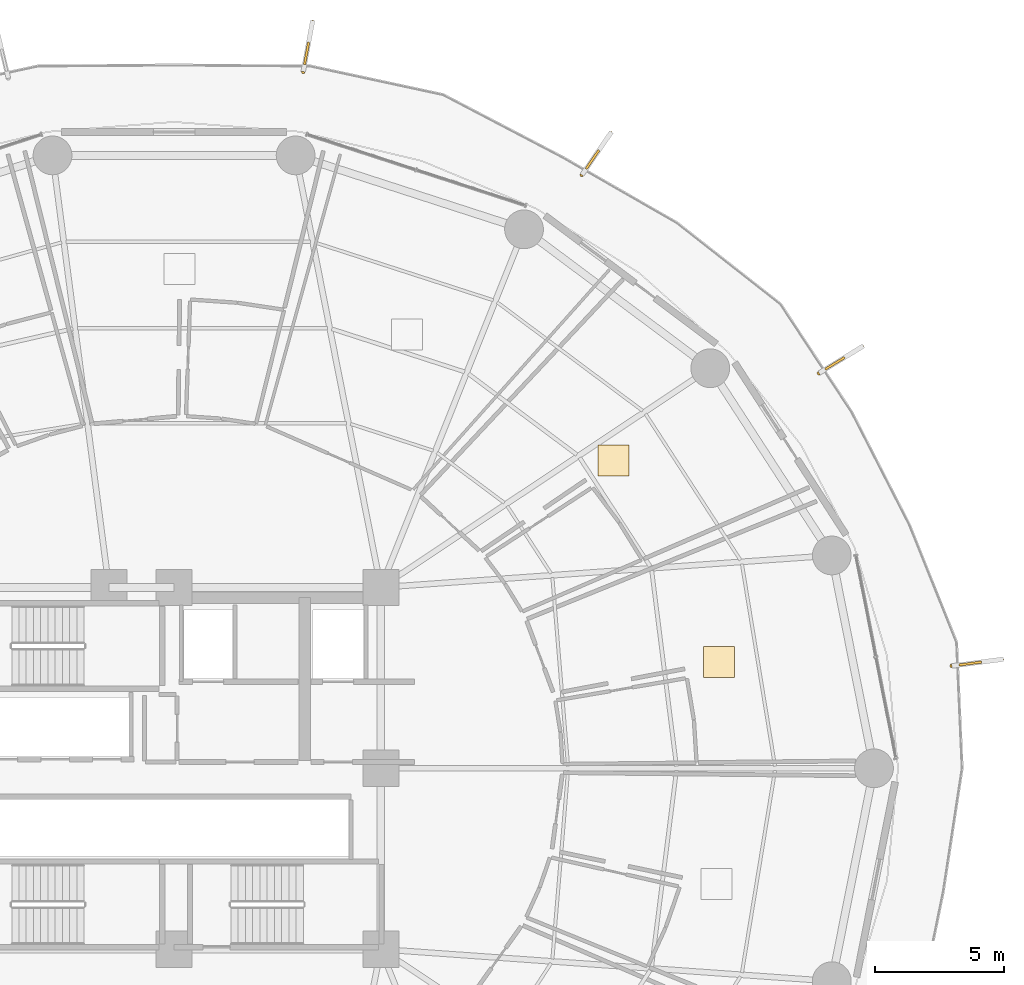
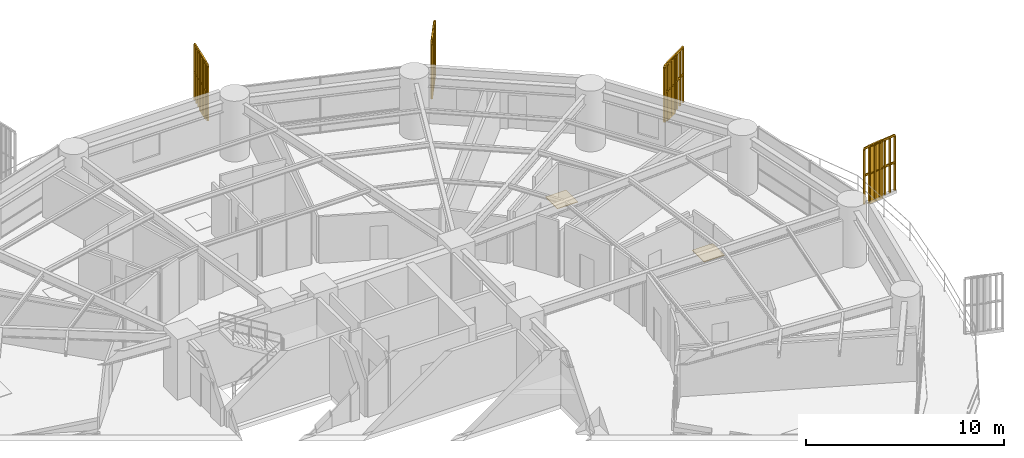
# One storey, part 34 of 34: 4 railings, 4 shading devices, 2 coverings.
"""IFC4 building model written with IfcOpenShell, lengths in metres."""

from ifc_helpers import new_model, si_unit, direction, frame, origin, origin_2d, place, context, subcontext, project, spatial, polyline, rectangle, outline, extrude, source, transform, mapped, material, layer, layer_set, type_object, element, save


model = new_model("IFC4")

# Units and contexts
model_context = context("Model", 3, precision=1e-05, world=origin(), true_north=direction((0.0, 1.0)))
body_context = subcontext(model_context, "Body", "Model", "MODEL_VIEW")
ifc_project = project(units=[si_unit("LENGTHUNIT", "METRE"), si_unit("AREAUNIT", "SQUARE_METRE"), si_unit("VOLUMEUNIT", "CUBIC_METRE"), si_unit("PLANEANGLEUNIT", "RADIAN"), si_unit("MASSUNIT", "GRAM", prefix="KILO")], contexts=[model_context])

# Site, building, storey
site_placement = place(None, origin())
site = spatial("IfcSite", under=ifc_project, at=site_placement, CompositionType="ELEMENT")
building_placement = place(site_placement, origin())
building = spatial("IfcBuilding", under=site, at=building_placement, Name="Kelanora Arch Commons", CompositionType="ELEMENT")
storey_placement = place(building_placement, frame((0.0, 0.0, 30.0)))
storey = spatial("IfcBuildingStorey", under=building, at=storey_placement, Name="L07", CompositionType="ELEMENT", Elevation=30.0)

# Railings
ifc_material_1 = material(Name="Anodised bronze vertical shading fin rib assembly")
railing_type = type_object("IfcRailingType", Name="RAIL-FIN-BRZ", PredefinedType="BALUSTRADE", material=ifc_material_1)
railing_1_placement = place(storey_placement, frame((104.091064453125, 61.9609375, -0.02001953125)))
element("IfcRailing", 1, at=railing_1_placement, inside=storey, type_object=railing_type, Name="Sweeping Bronze Vertical Fin Blade L07-00", PredefinedType="BALUSTRADE", context=body_context, shape_type="SweptSolid", body=[
    extrude(outline(polyline([(0.06982421875, 0.0), (0.034912109375, 0.060546875), (-0.034912109375, 0.060546875), (-0.06982421875, 0.0), (-0.034912109375, -0.060546875), (0.034912109375, -0.060546875), (0.06982421875, 0.0)])), frame((0.0, 0.0, 3.419921875), z_axis=(0.991431752839, 0.13062572282, 0.0), x_axis=(-0.13062572282, 0.991431752839, 0.0)), (0.0, 0.0, 1.0), 1.955078125),
    extrude(outline(polyline([(0.06982421875, 0.0), (0.034912109375, 0.060546875), (-0.034912109375, 0.060546875), (-0.06982421875, 0.0), (-0.034912109375, -0.060546875), (0.034912109375, -0.060546875), (0.06982421875, 0.0)])), frame((0.0, 0.0, 1.7451171875), z_axis=(0.991431752839, 0.13062572282, 0.0), x_axis=(-0.13062572282, 0.991431752839, 0.0)), (0.0, 0.0, 1.0), 1.955078125),
    extrude(outline(polyline([(0.080078125, 0.0), (0.0400390625, 0.0693359375), (-0.0400390625, 0.0693359375), (-0.080078125, 0.0), (-0.0400390625, -0.0693359375), (0.0400390625, -0.0693359375), (0.080078125, 0.0)])), origin(), (0.0, 0.0, 1.0), 3.35009765625),
    extrude(outline(polyline([(0.080078125, 0.0), (0.0400390625, 0.0693359375), (-0.0400390625, 0.0693359375), (-0.080078125, 0.0), (-0.0400390625, -0.0693359375), (0.0400390625, -0.0693359375), (0.080078125, 0.0)])), frame((0.322998046875, 0.04248046875, 0.0)), (0.0, 0.0, 1.0), 3.35009765625),
    extrude(outline(polyline([(0.080078125, 0.0), (0.0400390625, 0.0693359375), (-0.0400390625, 0.0693359375), (-0.080078125, 0.0), (-0.0400390625, -0.0693359375), (0.0400390625, -0.0693359375), (0.080078125, 0.0)])), frame((0.64599609375, 0.085205078125, 0.0)), (0.0, 0.0, 1.0), 3.35009765625),
    extrude(outline(polyline([(0.080078125, 0.0), (0.0400390625, 0.0693359375), (-0.0400390625, 0.0693359375), (-0.080078125, 0.0), (-0.0400390625, -0.0693359375), (0.0400390625, -0.0693359375), (0.080078125, 0.0)])), frame((0.96923828125, 0.127685546875, 0.0)), (0.0, 0.0, 1.0), 3.35009765625),
    extrude(outline(polyline([(0.080078125, 0.0), (0.0400390625, 0.0693359375), (-0.0400390625, 0.0693359375), (-0.080078125, 0.0), (-0.0400390625, -0.0693359375), (0.0400390625, -0.0693359375), (0.080078125, 0.0)])), frame((1.292236328125, 0.170166015625, 0.0)), (0.0, 0.0, 1.0), 3.35009765625),
    extrude(outline(polyline([(0.080078125, 0.0), (0.0400390625, 0.0693359375), (-0.0400390625, 0.0693359375), (-0.080078125, 0.0), (-0.0400390625, -0.0693359375), (0.0400390625, -0.0693359375), (0.080078125, 0.0)])), frame((1.615234375, 0.212890625, 0.0)), (0.0, 0.0, 1.0), 3.35009765625),
    extrude(outline(polyline([(0.080078125, 0.0), (0.0400390625, 0.0693359375), (-0.0400390625, 0.0693359375), (-0.080078125, 0.0), (-0.0400390625, -0.0693359375), (0.0400390625, -0.0693359375), (0.080078125, 0.0)])), frame((1.938232421875, 0.25537109375, 0.0)), (0.0, 0.0, 1.0), 3.35009765625),
])
railing_2_placement = place(storey_placement, frame((98.95458984375, 73.29150390625, -0.02001953125)))
element("IfcRailing", 2, at=railing_2_placement, inside=storey, type_object=railing_type, Name="Sweeping Bronze Vertical Fin Blade L07-01", PredefinedType="BALUSTRADE", context=body_context, shape_type="SweptSolid", body=[
    extrude(outline(polyline([(0.06982421875, 0.0), (0.034912109375, 0.060546875), (-0.034912109375, 0.060546875), (-0.06982421875, 0.0), (-0.034912109375, -0.060546875), (0.034912109375, -0.060546875), (0.06982421875, 0.0)])), frame((0.0, 0.0, 3.419921875), z_axis=(0.852651501033, 0.522480064487, 0.0), x_axis=(-0.522480064487, 0.852651501033, 0.0)), (0.0, 0.0, 1.0), 1.955078125),
    extrude(outline(polyline([(0.06982421875, 0.0), (0.034912109375, 0.060546875), (-0.034912109375, 0.060546875), (-0.06982421875, 0.0), (-0.034912109375, -0.060546875), (0.034912109375, -0.060546875), (0.06982421875, 0.0)])), frame((0.0, 0.0, 1.7451171875), z_axis=(0.852651501033, 0.522480064487, 0.0), x_axis=(-0.522480064487, 0.852651501033, 0.0)), (0.0, 0.0, 1.0), 1.955078125),
    extrude(outline(polyline([(0.080078125, 0.0), (0.0400390625, 0.0693359375), (-0.0400390625, 0.0693359375), (-0.080078125, 0.0), (-0.0400390625, -0.0693359375), (0.0400390625, -0.0693359375), (0.080078125, 0.0)])), origin(), (0.0, 0.0, 1.0), 3.35009765625),
    extrude(outline(polyline([(0.080078125, 0.0), (0.0400390625, 0.0693359375), (-0.0400390625, 0.0693359375), (-0.080078125, 0.0), (-0.0400390625, -0.0693359375), (0.0400390625, -0.0693359375), (0.080078125, 0.0)])), frame((0.27783203125, 0.170166015625, 0.0)), (0.0, 0.0, 1.0), 3.35009765625),
    extrude(outline(polyline([(0.080078125, 0.0), (0.0400390625, 0.0693359375), (-0.0400390625, 0.0693359375), (-0.080078125, 0.0), (-0.0400390625, -0.0693359375), (0.0400390625, -0.0693359375), (0.080078125, 0.0)])), frame((0.5556640625, 0.340576171875, 0.0)), (0.0, 0.0, 1.0), 3.35009765625),
    extrude(outline(polyline([(0.080078125, 0.0), (0.0400390625, 0.0693359375), (-0.0400390625, 0.0693359375), (-0.080078125, 0.0), (-0.0400390625, -0.0693359375), (0.0400390625, -0.0693359375), (0.080078125, 0.0)])), frame((0.83349609375, 0.5107421875, 0.0)), (0.0, 0.0, 1.0), 3.35009765625),
    extrude(outline(polyline([(0.080078125, 0.0), (0.0400390625, 0.0693359375), (-0.0400390625, 0.0693359375), (-0.080078125, 0.0), (-0.0400390625, -0.0693359375), (0.0400390625, -0.0693359375), (0.080078125, 0.0)])), frame((1.111328125, 0.680908203125, 0.0)), (0.0, 0.0, 1.0), 3.35009765625),
    extrude(outline(polyline([(0.080078125, 0.0), (0.0400390625, 0.0693359375), (-0.0400390625, 0.0693359375), (-0.080078125, 0.0), (-0.0400390625, -0.0693359375), (0.0400390625, -0.0693359375), (0.080078125, 0.0)])), frame((1.38916015625, 0.851318359375, 0.0)), (0.0, 0.0, 1.0), 3.35009765625),
    extrude(outline(polyline([(0.080078125, 0.0), (0.0400390625, 0.0693359375), (-0.0400390625, 0.0693359375), (-0.080078125, 0.0), (-0.0400390625, -0.0693359375), (0.0400390625, -0.0693359375), (0.080078125, 0.0)])), frame((1.6669921875, 1.021484375, 0.0)), (0.0, 0.0, 1.0), 3.35009765625),
])
railing_3_placement = place(storey_placement, frame((89.780029296875, 80.959228515625, -0.02001953125)))
element("IfcRailing", 3, at=railing_3_placement, inside=storey, type_object=railing_type, Name="Sweeping Bronze Vertical Fin Blade L07-02", PredefinedType="BALUSTRADE", context=body_context, shape_type="SweptSolid", body=[
    extrude(outline(polyline([(0.06982421875, 0.0), (0.034912109375, 0.060546875), (-0.034912109375, 0.060546875), (-0.06982421875, 0.0), (-0.034912109375, -0.060546875), (0.034912109375, -0.060546875), (0.06982421875, 0.0)])), frame((0.0, 0.0, 3.419921875), z_axis=(0.566459921081, 0.824089289949, 0.0), x_axis=(-0.824089289949, 0.566459921081, 0.0)), (0.0, 0.0, 1.0), 1.955078125),
    extrude(outline(polyline([(0.06982421875, 0.0), (0.034912109375, 0.060546875), (-0.034912109375, 0.060546875), (-0.06982421875, 0.0), (-0.034912109375, -0.060546875), (0.034912109375, -0.060546875), (0.06982421875, 0.0)])), frame((0.0, 0.0, 1.7451171875), z_axis=(0.566459921081, 0.824089289949, 0.0), x_axis=(-0.824089289949, 0.566459921081, 0.0)), (0.0, 0.0, 1.0), 1.955078125),
    extrude(outline(polyline([(0.080078125, 0.0), (0.0400390625, 0.0693359375), (-0.0400390625, 0.0693359375), (-0.080078125, 0.0), (-0.0400390625, -0.0693359375), (0.0400390625, -0.0693359375), (0.080078125, 0.0)])), origin(), (0.0, 0.0, 1.0), 3.35009765625),
    extrude(outline(polyline([(0.080078125, 0.0), (0.0400390625, 0.0693359375), (-0.0400390625, 0.0693359375), (-0.080078125, 0.0), (-0.0400390625, -0.0693359375), (0.0400390625, -0.0693359375), (0.080078125, 0.0)])), frame((0.1845703125, 0.2685546875, 0.0)), (0.0, 0.0, 1.0), 3.35009765625),
    extrude(outline(polyline([(0.080078125, 0.0), (0.0400390625, 0.0693359375), (-0.0400390625, 0.0693359375), (-0.080078125, 0.0), (-0.0400390625, -0.0693359375), (0.0400390625, -0.0693359375), (0.080078125, 0.0)])), frame((0.369140625, 0.537109375, 0.0)), (0.0, 0.0, 1.0), 3.35009765625),
    extrude(outline(polyline([(0.080078125, 0.0), (0.0400390625, 0.0693359375), (-0.0400390625, 0.0693359375), (-0.080078125, 0.0), (-0.0400390625, -0.0693359375), (0.0400390625, -0.0693359375), (0.080078125, 0.0)])), frame((0.5537109375, 0.8056640625, 0.0)), (0.0, 0.0, 1.0), 3.35009765625),
    extrude(outline(polyline([(0.080078125, 0.0), (0.0400390625, 0.0693359375), (-0.0400390625, 0.0693359375), (-0.080078125, 0.0), (-0.0400390625, -0.0693359375), (0.0400390625, -0.0693359375), (0.080078125, 0.0)])), frame((0.73828125, 1.073974609375, 0.0)), (0.0, 0.0, 1.0), 3.35009765625),
    extrude(outline(polyline([(0.080078125, 0.0), (0.0400390625, 0.0693359375), (-0.0400390625, 0.0693359375), (-0.080078125, 0.0), (-0.0400390625, -0.0693359375), (0.0400390625, -0.0693359375), (0.080078125, 0.0)])), frame((0.9228515625, 1.342529296875, 0.0)), (0.0, 0.0, 1.0), 3.35009765625),
    extrude(outline(polyline([(0.080078125, 0.0), (0.0400390625, 0.0693359375), (-0.0400390625, 0.0693359375), (-0.080078125, 0.0), (-0.0400390625, -0.0693359375), (0.0400390625, -0.0693359375), (0.080078125, 0.0)])), frame((1.107421875, 1.611083984375, 0.0)), (0.0, 0.0, 1.0), 3.35009765625),
])
railing_4_placement = place(storey_placement, frame((78.996337890625, 84.955078125, -0.02001953125)))
element("IfcRailing", 4, at=railing_4_placement, inside=storey, type_object=railing_type, Name="Sweeping Bronze Vertical Fin Blade L07-03", PredefinedType="BALUSTRADE", context=body_context, shape_type="SweptSolid", body=[
    extrude(outline(polyline([(0.06982421875, 0.0), (0.034912109375, 0.060546875), (-0.034912109375, 0.060546875), (-0.06982421875, 0.0), (-0.034912109375, -0.060546875), (0.034912109375, -0.060546875), (0.06982421875, 0.0)])), frame((0.0, 0.0, 3.419921875), z_axis=(0.182214479958, 0.98325880789, 0.0), x_axis=(-0.98325880789, 0.182214479958, 0.0)), (0.0, 0.0, 1.0), 1.954833984375),
    extrude(outline(polyline([(0.06982421875, 0.0), (0.034912109375, 0.060546875), (-0.034912109375, 0.060546875), (-0.06982421875, 0.0), (-0.034912109375, -0.060546875), (0.034912109375, -0.060546875), (0.06982421875, 0.0)])), frame((0.0, 0.0, 1.7451171875), z_axis=(0.182214479958, 0.98325880789, 0.0), x_axis=(-0.98325880789, 0.182214479958, 0.0)), (0.0, 0.0, 1.0), 1.954833984375),
    extrude(outline(polyline([(0.080078125, 0.0), (0.0400390625, 0.0693359375), (-0.0400390625, 0.0693359375), (-0.080078125, 0.0), (-0.0400390625, -0.0693359375), (0.0400390625, -0.0693359375), (0.080078125, 0.0)])), origin(), (0.0, 0.0, 1.0), 3.35009765625),
    extrude(outline(polyline([(0.080078125, 0.0), (0.0400390625, 0.0693359375), (-0.0400390625, 0.0693359375), (-0.080078125, 0.0), (-0.0400390625, -0.0693359375), (0.0400390625, -0.0693359375), (0.080078125, 0.0)])), frame((0.059326171875, 0.3203125, 0.0)), (0.0, 0.0, 1.0), 3.35009765625),
    extrude(outline(polyline([(0.080078125, 0.0), (0.0400390625, 0.0693359375), (-0.0400390625, 0.0693359375), (-0.080078125, 0.0), (-0.0400390625, -0.0693359375), (0.0400390625, -0.0693359375), (0.080078125, 0.0)])), frame((0.11865234375, 0.640625, 0.0)), (0.0, 0.0, 1.0), 3.35009765625),
    extrude(outline(polyline([(0.080078125, 0.0), (0.0400390625, 0.0693359375), (-0.0400390625, 0.0693359375), (-0.080078125, 0.0), (-0.0400390625, -0.0693359375), (0.0400390625, -0.0693359375), (0.080078125, 0.0)])), frame((0.17822265625, 0.9609375, 0.0)), (0.0, 0.0, 1.0), 3.35009765625),
    extrude(outline(polyline([(0.080078125, 0.0), (0.0400390625, 0.0693359375), (-0.0400390625, 0.0693359375), (-0.080078125, 0.0), (-0.0400390625, -0.0693359375), (0.0400390625, -0.0693359375), (0.080078125, 0.0)])), frame((0.237548828125, 1.281494140625, 0.0)), (0.0, 0.0, 1.0), 3.35009765625),
    extrude(outline(polyline([(0.080078125, 0.0), (0.0400390625, 0.0693359375), (-0.0400390625, 0.0693359375), (-0.080078125, 0.0), (-0.0400390625, -0.0693359375), (0.0400390625, -0.0693359375), (0.080078125, 0.0)])), frame((0.296875, 1.601806640625, 0.0)), (0.0, 0.0, 1.0), 3.35009765625),
    extrude(outline(polyline([(0.080078125, 0.0), (0.0400390625, 0.0693359375), (-0.0400390625, 0.0693359375), (-0.080078125, 0.0), (-0.0400390625, -0.0693359375), (0.0400390625, -0.0693359375), (0.080078125, 0.0)])), frame((0.356201171875, 1.922119140625, 0.0)), (0.0, 0.0, 1.0), 3.35009765625),
])

# Shading devices
ifc_material_2 = material(Name="Terracotta ceramic-clad extruded aluminium fin", Category="masonry")
shading_device_type = type_object("IfcShadingDeviceType", Name="SHD-FIN-FLARE", PredefinedType="USERDEFINED", material=ifc_material_2)
shared_shape_1 = source(origin(), body_context, "Body", "SweptSolid", [
    extrude(rectangle(XDim=0.8798828125, YDim=0.090087890625, at=origin_2d()), origin(), (0.0, 0.0, 1.0), 3.610107421875),
])
for number, where, z_axis, x_axis, name in (
    (5, (104.804931640625, 62.054931640625, -0.14013671875), (0.0, 0.0, 1.0), (0.991444861374, 0.13052619222, 0.0), "Sweeping Terracotta Fin L07-00"),
    (6, (99.568603515625, 73.667724609375, -0.14013671875), (0.0, 0.0, 1.0), (0.852640164354, 0.522498564716, 0.0), "Sweeping Terracotta Fin L07-01"),
    (7, (90.18798828125, 81.552490234375, -0.14013671875), (0.0, 0.0, 1.0), (0.566406236925, 0.824126188622, 0.0), "Sweeping Terracotta Fin L07-02"),
    (8, (79.12744140625, 85.6630859375, -0.14013671875), (0.0, 0.0, 1.0), (0.182235525492, 0.983254907564, 0.0), "Sweeping Terracotta Fin L07-03"),
):
    element("IfcShadingDevice", number, at=place(storey_placement, frame(where, z_axis=z_axis, x_axis=x_axis)), inside=storey, type_object=shading_device_type, Name=name, ObjectType="FIN", PredefinedType="USERDEFINED", context=body_context, shape_type="MappedRepresentation", body=[
        mapped(shared_shape_1, transform((0.0, 0.0, 0.0), scale=1.0)),
    ])

# Coverings
ifc_material_3 = material(Name="Polished local granite terrazzo flooring", Category="masonry")
ifc_layer = layer(ifc_material_3, 0.030029296875)
ifc_layer_set = layer_set([ifc_layer], Name="Polished local granite terrazzo flooring")
covering_type = type_object("IfcCoveringType", Name="COV-FLR-TER", PredefinedType="FLOORING", material=ifc_layer_set)
shared_shape_2 = source(origin(), body_context, "Body", "SweptSolid", [
    extrude(rectangle(XDim=1.199951171875, YDim=1.199951171875, at=origin_2d()), origin(), (0.0, 0.0, 1.0), 0.030029296875),
])
for number, where, z_axis, x_axis, name in (
    (9, (95.076416015625, 62.118896484375, 0.0), (0.0, 0.0, 1.0), (1.0, 0.0, 0.0), "Co-Living Studio L07-01 Terrazzo Finish"),
    (10, (90.995849609375, 69.902587890625, 0.0), (0.0, 0.0, 1.0), (1.0, 0.0, 0.0), "Co-Living Studio L07-02 Terrazzo Finish"),
):
    element("IfcCovering", number, at=place(storey_placement, frame(where, z_axis=z_axis, x_axis=x_axis)), inside=storey, type_object=covering_type, Name=name, PredefinedType="FLOORING", context=body_context, shape_type="MappedRepresentation", body=[
        mapped(shared_shape_2, transform((0.0, 0.0, 0.0), scale=1.0)),
    ])

save(model, "model.ifc")
